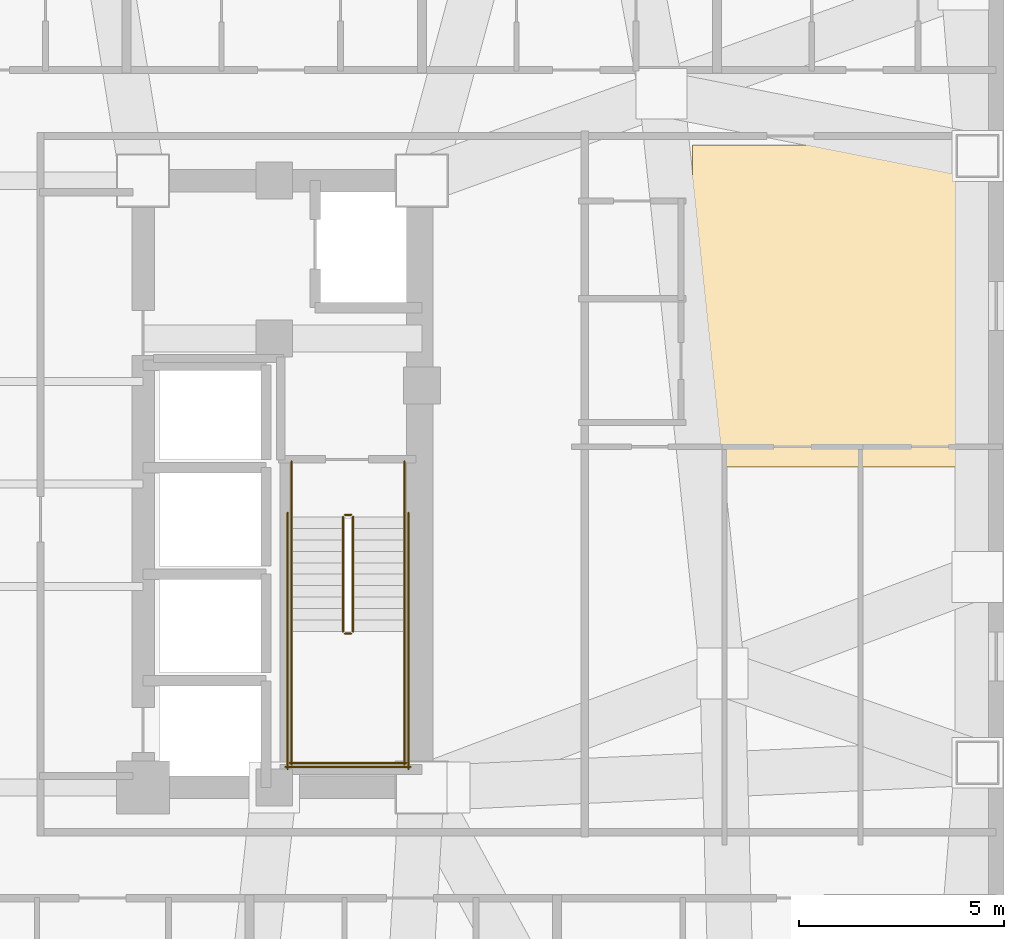
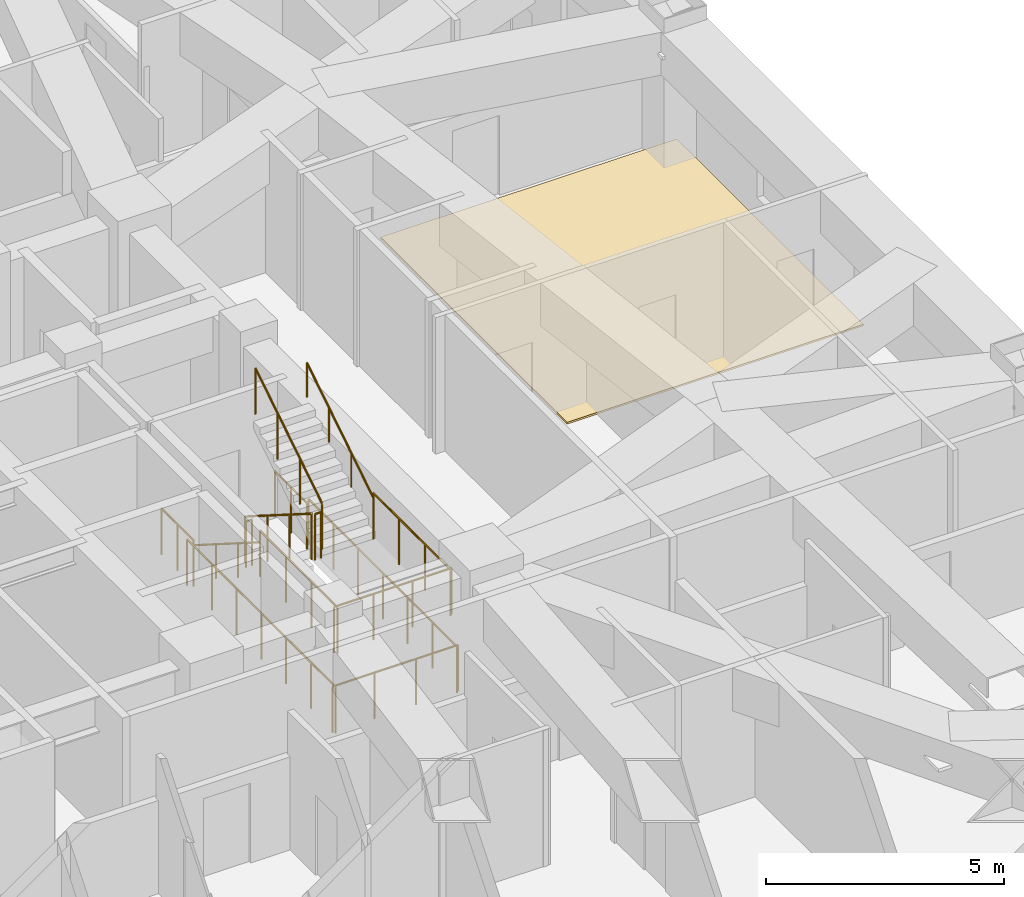
# One storey, part 14 of 14: 14 railings, 1 covering.
"""IFC4 building model written with IfcOpenShell, lengths in metres."""

from ifc_helpers import new_model, si_unit, direction, frame, origin, origin_2d, place, context, subcontext, project, spatial, polyline, circle, outline, extrude, material, layer, layer_set, type_object, element, save


model = new_model("IFC4")

# Units and contexts
model_context = context("Model", 3, precision=1e-05, world=origin(), true_north=direction((0.0, 1.0)))
body_context = subcontext(model_context, "Body", "Model", "MODEL_VIEW")
ifc_project = project(units=[si_unit("LENGTHUNIT", "METRE"), si_unit("AREAUNIT", "SQUARE_METRE"), si_unit("VOLUMEUNIT", "CUBIC_METRE"), si_unit("PLANEANGLEUNIT", "RADIAN"), si_unit("MASSUNIT", "GRAM", prefix="KILO")], contexts=[model_context])

# Site, building, storey
site_placement = place(None, origin())
site = spatial("IfcSite", under=ifc_project, at=site_placement, CompositionType="ELEMENT")
building_placement = place(site_placement, origin())
building = spatial("IfcBuilding", under=site, at=building_placement, Name="Voryun Gate Residences", CompositionType="ELEMENT")
storey_placement = place(building_placement, frame((0.0, 0.0, 136.5)))
storey = spatial("IfcBuildingStorey", under=building, at=storey_placement, Name="L33", CompositionType="ELEMENT", Elevation=136.5)

# Covering
ifc_material_1 = material(Name="Architectural oak flooring")
ifc_layer = layer(ifc_material_1, 0.044921875, Name="COV_FLOOR_ONDOL_OAK")
ifc_layer_set = layer_set([ifc_layer], Name="Architectural oak flooring")
covering_type = type_object("IfcCoveringType", Name="COV_FLOOR_ONDOL_OAK", PredefinedType="FLOORING", material=ifc_layer_set)
covering_placement = place(storey_placement, origin())
element("IfcCovering", 1, at=covering_placement, inside=storey, type_object=covering_type, Name="Ondol oak floor FLR-L33-01", PredefinedType="FLOORING", context=body_context, shape_type="SweptSolid", body=[
    extrude(outline(polyline([(25.800048828125, 0.419921875), (25.800048828125, 8.27001953125), (32.99755859375, 8.27001953125), (32.99755859375, 0.419921875), (25.800048828125, 0.419921875)])), origin(), (0.0, 0.0, 1.0), 0.044921875),
])

# Railings
ifc_material_2 = material(Name="Painted steel", Category="steel")
railing_type_1 = type_object("IfcRailingType", Name="RAIL_STAIR_GUARD_1200", PredefinedType="GUARDRAIL", material=ifc_material_2)
railing_1_placement = place(storey_placement, frame((17.27490234375, -0.800048828125, 0.17724609375)))
element("IfcRailing", 2, at=railing_1_placement, inside=storey, type_object=railing_type_1, Name="L33 ST-E1 stair guard 1", PredefinedType="GUARDRAIL", context=body_context, shape_type="SweptSolid", body=[
    extrude(circle(Radius=0.02392578125, at=origin_2d()), frame((0.0, 0.0, 1.17578125), z_axis=(0.0, -0.844908973607, 0.534910110503), x_axis=(1.0, 0.0, 0.0)), (0.0, 0.0, 1.0), 3.31396484375),
    extrude(circle(Radius=0.02099609375, at=origin_2d()), origin(), (0.0, 0.0, 1.0), 1.15185546875),
    extrude(circle(Radius=0.02099609375, at=origin_2d()), frame((0.0, -0.933349609375, 0.5908203125)), (0.0, 0.0, 1.0), 1.15185546875),
    extrude(circle(Radius=0.02099609375, at=origin_2d()), frame((0.0, -1.86669921875, 1.181884765625)), (0.0, 0.0, 1.0), 1.15185546875),
    extrude(circle(Radius=0.02099609375, at=origin_2d()), frame((0.0, -2.800048828125, 1.772705078125)), (0.0, 0.0, 1.0), 1.15185546875),
])
railing_2_placement = place(storey_placement, frame((17.324951171875, -3.64990234375, 1.949951171875)))
element("IfcRailing", 3, at=railing_2_placement, inside=storey, type_object=railing_type_1, Name="L33 ST-E1 stair guard 2", PredefinedType="GUARDRAIL", context=body_context, shape_type="SweptSolid", body=[
    extrude(circle(Radius=0.02392578125, at=origin_2d()), frame((0.0, 0.0, 1.17578125), z_axis=(1.0, 0.0, 0.0), x_axis=(0.0, 1.0, 0.0)), (0.0, 0.0, 1.0), 0.150146484375),
    extrude(circle(Radius=0.02099609375, at=origin_2d()), origin(), (0.0, 0.0, 1.0), 1.15185546875),
    extrude(circle(Radius=0.02099609375, at=origin_2d()), frame((0.150146484375, 0.0, 0.0)), (0.0, 0.0, 1.0), 1.15185546875),
])
for number, where, name in (
    (4, (16.02490234375, -3.60009765625, 1.949951171875), "L33 ST-E1 stair guard 3"),
    (5, (18.77490234375, -3.60009765625, 1.949951171875), "L33 ST-E1 stair guard 4"),
):
    element("IfcRailing", number, at=place(storey_placement, frame(where)), inside=storey, type_object=railing_type_1, Name=name, PredefinedType="GUARDRAIL", context=body_context, shape_type="SweptSolid", body=[
        extrude(circle(Radius=0.02392578125, at=origin_2d()), frame((0.0, 0.0, 1.17578125), z_axis=(0.0, -1.0, 0.0), x_axis=(1.0, 0.0, 0.0)), (0.0, 0.0, 1.0), 3.25),
        extrude(circle(Radius=0.02099609375, at=origin_2d()), origin(), (0.0, 0.0, 1.0), 1.15185546875),
        extrude(circle(Radius=0.02099609375, at=origin_2d()), frame((0.0, -1.083251953125, 0.0)), (0.0, 0.0, 1.0), 1.15185546875),
        extrude(circle(Radius=0.02099609375, at=origin_2d()), frame((0.0, -2.166748046875, 0.0)), (0.0, 0.0, 1.0), 1.15185546875),
        extrude(circle(Radius=0.02099609375, at=origin_2d()), frame((0.0, -3.25, 0.0)), (0.0, 0.0, 1.0), 1.15185546875),
    ])
railing_3_placement = place(storey_placement, frame((15.97509765625, -6.800048828125, 1.949951171875)))
element("IfcRailing", 6, at=railing_3_placement, inside=storey, type_object=railing_type_1, Name="L33 ST-E1 stair guard 5", PredefinedType="GUARDRAIL", context=body_context, shape_type="SweptSolid", body=[
    extrude(circle(Radius=0.02392578125, at=origin_2d()), frame((0.0, 0.0, 1.17578125), z_axis=(1.0, 0.0, 0.0), x_axis=(0.0, 1.0, 0.0)), (0.0, 0.0, 1.0), 2.849853515625),
    extrude(circle(Radius=0.02099609375, at=origin_2d()), origin(), (0.0, 0.0, 1.0), 1.15185546875),
    extrude(circle(Radius=0.02099609375, at=origin_2d()), frame((0.949951171875, 0.0, 0.0)), (0.0, 0.0, 1.0), 1.15185546875),
    extrude(circle(Radius=0.02099609375, at=origin_2d()), frame((1.89990234375, 0.0, 0.0)), (0.0, 0.0, 1.0), 1.15185546875),
    extrude(circle(Radius=0.02099609375, at=origin_2d()), frame((2.849853515625, 0.0, 0.0)), (0.0, 0.0, 1.0), 1.15185546875),
])
railing_4_placement = place(storey_placement, frame((17.52490234375, -3.60009765625, 2.127197265625)))
element("IfcRailing", 7, at=railing_4_placement, inside=storey, type_object=railing_type_1, Name="L33 ST-E1 stair guard 6", PredefinedType="GUARDRAIL", context=body_context, shape_type="SweptSolid", body=[
    extrude(circle(Radius=0.02392578125, at=origin_2d()), frame((0.0, 0.0, 1.17578125), z_axis=(0.0, 0.844908973607, 0.534910110503), x_axis=(-1.0, 0.0, 0.0)), (0.0, 0.0, 1.0), 3.31396484375),
    extrude(circle(Radius=0.02099609375, at=origin_2d()), origin(), (0.0, 0.0, 1.0), 1.15185546875),
    extrude(circle(Radius=0.02099609375, at=origin_2d()), frame((0.0, 0.933349609375, 0.5908203125)), (0.0, 0.0, 1.0), 1.15185546875),
    extrude(circle(Radius=0.02099609375, at=origin_2d()), frame((0.0, 1.86669921875, 1.181884765625)), (0.0, 0.0, 1.0), 1.15185546875),
    extrude(circle(Radius=0.02099609375, at=origin_2d()), frame((0.0, 2.800048828125, 1.772705078125)), (0.0, 0.0, 1.0), 1.15185546875),
])
railing_5_placement = place(storey_placement, frame((17.324951171875, -0.75, 0.0)))
element("IfcRailing", 8, at=railing_5_placement, inside=storey, type_object=railing_type_1, Name="L33 ST-E1 stair guard 7", PredefinedType="GUARDRAIL", context=body_context, shape_type="SweptSolid", body=[
    extrude(circle(Radius=0.02392578125, at=origin_2d()), frame((0.0, 0.0, 1.17578125), z_axis=(1.0, 0.0, 0.0), x_axis=(0.0, 1.0, 0.0)), (0.0, 0.0, 1.0), 0.150146484375),
    extrude(circle(Radius=0.02099609375, at=origin_2d()), origin(), (0.0, 0.0, 1.0), 1.15185546875),
    extrude(circle(Radius=0.02099609375, at=origin_2d()), frame((0.150146484375, 0.0, 0.0)), (0.0, 0.0, 1.0), 1.15185546875),
])
for number, where, name in (
    (9, (16.02490234375, 0.550048828125, 0.0), "L33 ST-E1 stair guard 8"),
    (10, (18.77490234375, 0.550048828125, 0.0), "L33 ST-E1 stair guard 9"),
):
    element("IfcRailing", number, at=place(storey_placement, frame(where)), inside=storey, type_object=railing_type_1, Name=name, PredefinedType="GUARDRAIL", context=body_context, shape_type="SweptSolid", body=[
        extrude(circle(Radius=0.02392578125, at=origin_2d()), frame((0.0, 0.0, 1.17578125), z_axis=(0.0, -1.0, 0.0), x_axis=(1.0, 0.0, 0.0)), (0.0, 0.0, 1.0), 1.35009765625),
        extrude(circle(Radius=0.02099609375, at=origin_2d()), origin(), (0.0, 0.0, 1.0), 1.15185546875),
        extrude(circle(Radius=0.02099609375, at=origin_2d()), frame((0.0, -0.675048828125, 0.0)), (0.0, 0.0, 1.0), 1.15185546875),
        extrude(circle(Radius=0.02099609375, at=origin_2d()), frame((0.0, -1.35009765625, 0.0)), (0.0, 0.0, 1.0), 1.15185546875),
    ])
for number, where, name in (
    (11, (15.925048828125, -0.699951171875, 0.0), "L33 ST-E1 stair guard 10"),
    (12, (18.875, -0.699951171875, 0.0), "L33 ST-E1 stair guard 11"),
):
    element("IfcRailing", number, at=place(storey_placement, frame(where)), inside=storey, type_object=railing_type_1, Name=name, PredefinedType="GUARDRAIL", context=body_context, shape_type="SweptSolid", body=[
        extrude(circle(Radius=0.02392578125, at=origin_2d()), frame((0.0, 0.0, 1.17578125), z_axis=(0.0, -1.0, 0.0), x_axis=(1.0, 0.0, 0.0)), (0.0, 0.0, 1.0), 6.25),
        extrude(circle(Radius=0.02099609375, at=origin_2d()), origin(), (0.0, 0.0, 1.0), 1.15185546875),
        extrude(circle(Radius=0.02099609375, at=origin_2d()), frame((0.0, -1.041748046875, 0.0)), (0.0, 0.0, 1.0), 1.15185546875),
        extrude(circle(Radius=0.02099609375, at=origin_2d()), frame((0.0, -2.083251953125, 0.0)), (0.0, 0.0, 1.0), 1.15185546875),
        extrude(circle(Radius=0.02099609375, at=origin_2d()), frame((0.0, -3.125, 0.0)), (0.0, 0.0, 1.0), 1.15185546875),
        extrude(circle(Radius=0.02099609375, at=origin_2d()), frame((0.0, -4.166748046875, 0.0)), (0.0, 0.0, 1.0), 1.15185546875),
        extrude(circle(Radius=0.02099609375, at=origin_2d()), frame((0.0, -5.208251953125, 0.0)), (0.0, 0.0, 1.0), 1.15185546875),
        extrude(circle(Radius=0.02099609375, at=origin_2d()), frame((0.0, -6.25, 0.0)), (0.0, 0.0, 1.0), 1.15185546875),
    ])
railing_6_placement = place(storey_placement, frame((15.875, -6.89990234375, 0.0)))
element("IfcRailing", 13, at=railing_6_placement, inside=storey, type_object=railing_type_1, Name="L33 ST-E1 stair guard 12", PredefinedType="GUARDRAIL", context=body_context, shape_type="SweptSolid", body=[
    extrude(circle(Radius=0.02392578125, at=origin_2d()), frame((0.0, 0.0, 1.17578125), z_axis=(1.0, 0.0, 0.0), x_axis=(0.0, 1.0, 0.0)), (0.0, 0.0, 1.0), 3.050048828125),
    extrude(circle(Radius=0.02099609375, at=origin_2d()), origin(), (0.0, 0.0, 1.0), 1.15185546875),
    extrude(circle(Radius=0.02099609375, at=origin_2d()), frame((1.0166015625, 0.0, 0.0)), (0.0, 0.0, 1.0), 1.15185546875),
    extrude(circle(Radius=0.02099609375, at=origin_2d()), frame((2.033447265625, 0.0, 0.0)), (0.0, 0.0, 1.0), 1.15185546875),
    extrude(circle(Radius=0.02099609375, at=origin_2d()), frame((3.050048828125, 0.0, 0.0)), (0.0, 0.0, 1.0), 1.15185546875),
])
ifc_material_3 = material(Name="Painted steel", Category="steel")
railing_type_2 = type_object("IfcRailingType", Name="RAIL_STAIR_HANDRAIL_900", PredefinedType="HANDRAIL", material=ifc_material_3)
railing_7_placement = place(storey_placement, frame((16.02490234375, -0.800048828125, 0.17724609375)))
element("IfcRailing", 14, at=railing_7_placement, inside=storey, type_object=railing_type_2, Name="L33 ST-E1 stair handrail 1", PredefinedType="HANDRAIL", context=body_context, shape_type="SweptSolid", body=[
    extrude(circle(Radius=0.02392578125, at=origin_2d()), frame((0.0, 0.0, 0.8759765625), z_axis=(0.0, -0.844908973607, 0.534910110503), x_axis=(1.0, 0.0, 0.0)), (0.0, 0.0, 1.0), 3.31396484375),
    extrude(circle(Radius=0.02099609375, at=origin_2d()), origin(), (0.0, 0.0, 1.0), 0.851806640625),
    extrude(circle(Radius=0.02099609375, at=origin_2d()), frame((0.0, -0.933349609375, 0.5908203125)), (0.0, 0.0, 1.0), 0.851806640625),
    extrude(circle(Radius=0.02099609375, at=origin_2d()), frame((0.0, -1.86669921875, 1.181884765625)), (0.0, 0.0, 1.0), 0.851806640625),
    extrude(circle(Radius=0.02099609375, at=origin_2d()), frame((0.0, -2.800048828125, 1.772705078125)), (0.0, 0.0, 1.0), 0.851806640625),
])
railing_8_placement = place(storey_placement, frame((18.77490234375, -3.60009765625, 2.127197265625)))
element("IfcRailing", 15, at=railing_8_placement, inside=storey, type_object=railing_type_2, Name="L33 ST-E1 stair handrail 2", PredefinedType="HANDRAIL", context=body_context, shape_type="SweptSolid", body=[
    extrude(circle(Radius=0.02392578125, at=origin_2d()), frame((0.0, 0.0, 0.8759765625), z_axis=(0.0, 0.844908973607, 0.534910110503), x_axis=(-1.0, 0.0, 0.0)), (0.0, 0.0, 1.0), 3.31396484375),
    extrude(circle(Radius=0.02099609375, at=origin_2d()), origin(), (0.0, 0.0, 1.0), 0.851806640625),
    extrude(circle(Radius=0.02099609375, at=origin_2d()), frame((0.0, 0.933349609375, 0.5908203125)), (0.0, 0.0, 1.0), 0.851806640625),
    extrude(circle(Radius=0.02099609375, at=origin_2d()), frame((0.0, 1.86669921875, 1.181884765625)), (0.0, 0.0, 1.0), 0.851806640625),
    extrude(circle(Radius=0.02099609375, at=origin_2d()), frame((0.0, 2.800048828125, 1.772705078125)), (0.0, 0.0, 1.0), 0.851806640625),
])

save(model, "model.ifc")
